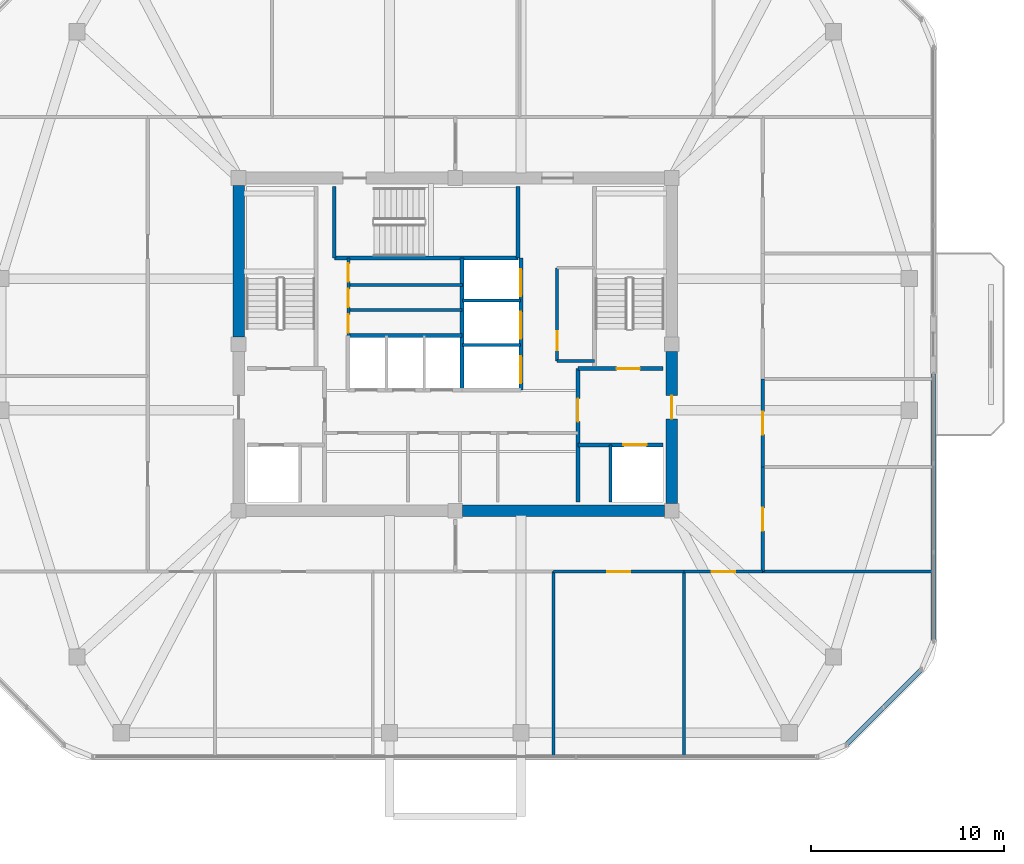
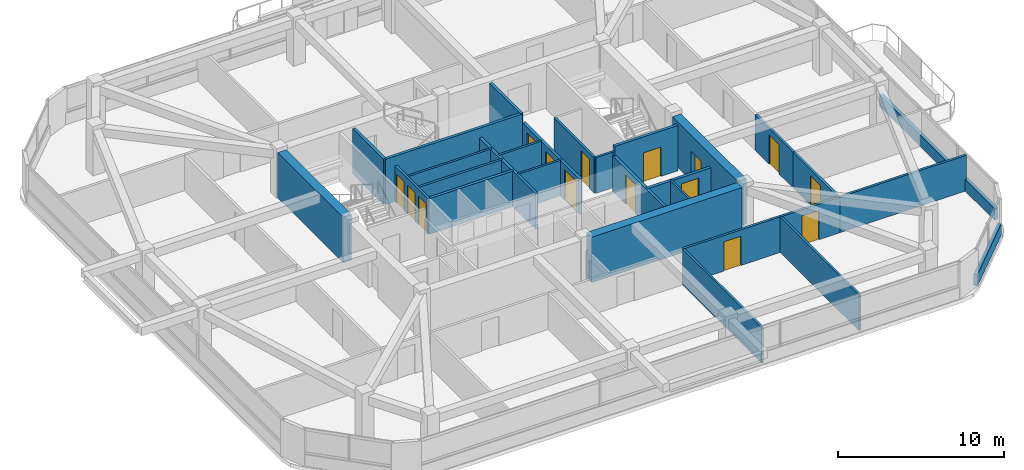
# One storey, part 10 of 14: 29 walls, 15 doors, 15 openings.
"""IFC4 building model written with IfcOpenShell, lengths in metres."""

from ifc_helpers import new_model, si_unit, derived_unit, direction, frame, frame_2d, origin, place, context, subcontext, project, spatial, rectangle, extrude, material, layer, layer_set, type_object, element, fill, save


model = new_model("IFC4")

# Units and contexts
model_context = context("Model", 3, precision=1e-05, world=origin(), true_north=direction((0.0, 1.0)))
body_context = subcontext(model_context, "Body", "Model", "MODEL_VIEW")
ifc_project = project(units=[si_unit("LENGTHUNIT", "METRE"), si_unit("AREAUNIT", "SQUARE_METRE"), si_unit("VOLUMEUNIT", "CUBIC_METRE"), si_unit("PLANEANGLEUNIT", "RADIAN"), si_unit("MASSUNIT", "GRAM", prefix="KILO"), derived_unit("THERMALTRANSMITTANCEUNIT", [(si_unit("POWERUNIT", "WATT"), 1), (si_unit("LENGTHUNIT", "METRE"), -2), (si_unit("THERMODYNAMICTEMPERATUREUNIT", "KELVIN"), -1)])], contexts=[model_context])

# Site, building, storey
site_placement = place(None, origin())
site = spatial("IfcSite", under=ifc_project, at=site_placement, CompositionType="ELEMENT")
building_placement = place(site_placement, origin())
building = spatial("IfcBuilding", under=site, at=building_placement, Name="Koralith Skygarden Medical Center", CompositionType="ELEMENT")
storey_placement = place(building_placement, frame((0.0, 0.0, 275.219970703125)))
storey = spatial("IfcBuildingStorey", under=building, at=storey_placement, Name="L71", CompositionType="ELEMENT", Elevation=275.219970703125)

# Wall, opening, door
ifc_material_1 = material(Name="Gypsum Board Partition")
ifc_layer_1 = layer(ifc_material_1, 0.14990234375)
ifc_layer_set_1 = layer_set([ifc_layer_1], Name="Gypsum Board Partition")
wall_type_1 = type_object("IfcWallType", Name="Clinical Acoustic Partition 150", PredefinedType="PARTITIONING", material=ifc_layer_set_1)
wall_1_placement = place(storey_placement, frame((42.27001953125, 25.0400390625, 0.0), z_axis=(0.0, 0.0, 1.0), x_axis=(0.0, 1.0, 0.0)))
wall_1 = element("IfcWall", 1, at=wall_1_placement, inside=storey, type_object=wall_type_1, Name="L71 Clinical Acoustic Partition 150 W-CORE-L71-ESUB-W", PredefinedType="PARTITIONING", context=body_context, shape_type="SweptSolid", body=[
    extrude(rectangle(XDim=4.820068359375, YDim=0.14990234375, at=frame_2d((2.41015625, 0.0))), origin(), (0.0, 0.0, 1.0), 2.610107421875),
])
opening_1_placement = place(wall_1_placement, frame((0.550048828125, 0.0, 0.0)))
opening_1 = element("IfcOpeningElement", 2, at=opening_1_placement, cuts=wall_1, Name="Opening D-SUP", PredefinedType="OPENING", context=body_context, shape_type="SweptSolid", body=[
    extrude(rectangle(XDim=1.0, YDim=2.14990234375, at=frame_2d((0.5, 1.074951171875))), frame((0.0, 0.0849609375, 0.0), z_axis=(0.0, -1.0, 0.0), x_axis=(1.0, 0.0, 0.0)), (0.0, 0.0, 1.0), 0.169921875),
])
ifc_material_2 = material(Name="Aluminium 6063-T6", Category="aluminium")
door_type_1 = type_object("IfcDoorType", Name="Clinical Support Door D-SUP 1000", OperationType="NOTDEFINED", PredefinedType="DOOR", material=ifc_material_2)
door_1_placement = place(opening_1_placement, origin())
door_1 = element("IfcDoor", 3, at=door_1_placement, inside=storey, type_object=door_type_1, Name="L71 Core Equipment Store Door", OperationType="SINGLE_SWING_LEFT", OverallHeight=2.14990234375, OverallWidth=1.0, PredefinedType="DOOR", context=body_context, shape_type="SweptSolid", body=[
    extrude(rectangle(XDim=1.0, YDim=2.14990234375, at=frame_2d((0.5, 1.074951171875))), frame((0.0, 0.02490234375, 0.0), z_axis=(0.0, -1.0, 0.0), x_axis=(1.0, 0.0, 0.0)), (0.0, 0.0, 1.0), 0.050048828125),
])
fill(opening_1, door_1)

# Walls
wall_2_placement = place(storey_placement, frame((42.27001953125, 25.0400390625, 0.0), z_axis=(0.0, 0.0, 1.0), x_axis=(1.0, 0.0, 0.0)))
element("IfcWall", 4, at=wall_2_placement, inside=storey, type_object=wall_type_1, Name="L71 Clinical Acoustic Partition 150 W-CORE-L71-ESUB-S", PredefinedType="PARTITIONING", context=body_context, shape_type="SweptSolid", body=[
    extrude(rectangle(XDim=1.929931640625, YDim=0.14990234375, at=frame_2d((0.96484375, 0.0))), origin(), (0.0, 0.0, 1.0), 2.610107421875),
])
wall_3_placement = place(storey_placement, frame((31.47998046875, 28.97998046875, 0.0), z_axis=(0.0, 0.0, 1.0), x_axis=(1.0, 0.0, 0.0)))
element("IfcWall", 5, at=wall_3_placement, inside=storey, type_object=wall_type_1, Name="L71 Clinical Acoustic Partition 150 W-CORE-L71-FLEX-H1B", PredefinedType="PARTITIONING", context=body_context, shape_type="SweptSolid", body=[
    extrude(rectangle(XDim=5.89013671875, YDim=0.14990234375, at=frame_2d((2.945068359375, 0.0))), origin(), (0.0, 0.0, 1.0), 2.610107421875),
])
for number, where, z_axis, x_axis, name in (
    (6, (42.076904296875, 14.14990234375, 0.0), (0.0, 0.0, 1.0), (0.0, -1.0, 0.0), "L71 Clinical Acoustic Partition 150 W-PART-L71-S-03"),
    (7, (48.840087890625, 14.14990234375, 0.0), (0.0, 0.0, 1.0), (0.0, -1.0, 0.0), "L71 Clinical Acoustic Partition 150 W-PART-L71-S-04"),
):
    element("IfcWall", number, at=place(storey_placement, frame(where, z_axis=z_axis, x_axis=x_axis)), inside=storey, type_object=wall_type_1, Name=name, PredefinedType="PARTITIONING", context=body_context, shape_type="SweptSolid", body=[
        extrude(rectangle(XDim=9.5498046875, YDim=0.14990234375, at=frame_2d((4.77490234375, 0.0))), origin(), (0.0, 0.0, 1.0), 2.610107421875),
    ])
ifc_layer_2 = layer(ifc_material_1, 0.1650390625)
ifc_layer_set_2 = layer_set([ifc_layer_2], Name="Gypsum Board Partition")
wall_type_2 = type_object("IfcWallType", Name="Clinical Corridor Partition 165", PredefinedType="PARTITIONING", material=ifc_layer_set_2)
wall_4_placement = place(storey_placement, frame((52.89990234375, 14.14990234375, 0.0), z_axis=(0.0, 0.0, 1.0), x_axis=(1.0, 0.0, 0.0)))
element("IfcWall", 8, at=wall_4_placement, inside=storey, type_object=wall_type_2, Name="L71 Clinical Corridor Partition 165 W-WB-L71-SE", PredefinedType="PARTITIONING", context=body_context, shape_type="SweptSolid", body=[
    extrude(rectangle(XDim=8.800048828125, YDim=0.1650390625, at=frame_2d((4.39990234375, 0.0))), origin(), (0.0, 0.0, 1.0), 2.610107421875),
])

# Wall, opening, door
wall_5_placement = place(storey_placement, frame((42.076904296875, 14.14990234375, 0.0), z_axis=(0.0, 0.0, 1.0), x_axis=(1.0, 0.0, 0.0)))
wall_5 = element("IfcWall", 9, at=wall_5_placement, inside=storey, type_object=wall_type_2, Name="L71 Clinical Corridor Partition 165 W-CORR-L71-S-04", PredefinedType="PARTITIONING", context=body_context, shape_type="SweptSolid", body=[
    extrude(rectangle(XDim=6.76318359375, YDim=0.1650390625, at=frame_2d((3.381591796875, 0.0))), origin(), (0.0, 0.0, 1.0), 2.610107421875),
])
opening_2_placement = place(wall_5_placement, frame((2.781982421875, 0.0, 0.0)))
opening_2 = element("IfcOpeningElement", 10, at=opening_2_placement, cuts=wall_5, Name="Opening D-CLN", PredefinedType="OPENING", context=body_context, shape_type="SweptSolid", body=[
    extrude(rectangle(XDim=1.199951171875, YDim=2.14990234375, at=frame_2d((0.60009765625, 1.074951171875))), frame((0.0, 0.092529296875, 0.0), z_axis=(0.0, -1.0, 0.0), x_axis=(1.0, 0.0, 0.0)), (0.0, 0.0, 1.0), 0.18505859375),
])
door_type_2 = type_object("IfcDoorType", Name="Clinical Corridor Door D-CLN 1200", OperationType="NOTDEFINED", PredefinedType="DOOR", material=ifc_material_2)
door_2_placement = place(opening_2_placement, frame((1.199951171875, 0.0, 0.0), z_axis=(0.0, 0.0, 1.0), x_axis=(-1.0, 0.0, 0.0)))
door_2 = element("IfcDoor", 11, at=door_2_placement, inside=storey, type_object=door_type_2, Name="L71 Physician Reading Lounge 08 Door", OperationType="SINGLE_SWING_LEFT", OverallHeight=2.14990234375, OverallWidth=1.199951171875, PredefinedType="DOOR", context=body_context, shape_type="SweptSolid", body=[
    extrude(rectangle(XDim=1.199951171875, YDim=2.14990234375, at=frame_2d((0.60009765625, 1.074951171875))), frame((0.0, 0.02490234375, 0.0), z_axis=(0.0, -1.0, 0.0), x_axis=(1.0, 0.0, 0.0)), (0.0, 0.0, 1.0), 0.050048828125),
])
fill(opening_2, door_2)

wall_6_placement = place(storey_placement, frame((48.840087890625, 14.14990234375, 0.0), z_axis=(0.0, 0.0, 1.0), x_axis=(1.0, 0.0, 0.0)))
wall_6 = element("IfcWall", 12, at=wall_6_placement, inside=storey, type_object=wall_type_2, Name="L71 Clinical Corridor Partition 165 W-CORR-L71-S-05", PredefinedType="PARTITIONING", context=body_context, shape_type="SweptSolid", body=[
    extrude(rectangle(XDim=4.059814453125, YDim=0.1650390625, at=frame_2d((2.02978515625, 0.0))), origin(), (0.0, 0.0, 1.0), 2.610107421875),
])
opening_3_placement = place(wall_6_placement, frame((1.429931640625, 0.0, 0.0)))
opening_3 = element("IfcOpeningElement", 13, at=opening_3_placement, cuts=wall_6, Name="Opening D-CLN", PredefinedType="OPENING", context=body_context, shape_type="SweptSolid", body=[
    extrude(rectangle(XDim=1.199951171875, YDim=2.14990234375, at=frame_2d((0.60009765625, 1.074951171875))), frame((0.0, 0.092529296875, 0.0), z_axis=(0.0, -1.0, 0.0), x_axis=(1.0, 0.0, 0.0)), (0.0, 0.0, 1.0), 0.18505859375),
])
door_3_placement = place(opening_3_placement, frame((1.199951171875, 0.0, 0.0), z_axis=(0.0, 0.0, 1.0), x_axis=(-1.0, 0.0, 0.0)))
door_3 = element("IfcDoor", 14, at=door_3_placement, inside=storey, type_object=door_type_2, Name="L71 Clinical Consultation Office 09 Door", OperationType="SINGLE_SWING_RIGHT", OverallHeight=2.14990234375, OverallWidth=1.199951171875, PredefinedType="DOOR", context=body_context, shape_type="SweptSolid", body=[
    extrude(rectangle(XDim=1.199951171875, YDim=2.14990234375, at=frame_2d((0.60009765625, 1.074951171875))), frame((0.0, 0.02490234375, 0.0), z_axis=(0.0, -1.0, 0.0), x_axis=(1.0, 0.0, 0.0)), (0.0, 0.0, 1.0), 0.050048828125),
])
fill(opening_3, door_3)

wall_7_placement = place(storey_placement, frame((52.89990234375, 14.14990234375, 0.0), z_axis=(0.0, 0.0, 1.0), x_axis=(0.0, 1.0, 0.0)))
wall_7 = element("IfcWall", 15, at=wall_7_placement, inside=storey, type_object=wall_type_2, Name="L71 Clinical Corridor Partition 165 W-CORR-L71-E-01", PredefinedType="PARTITIONING", context=body_context, shape_type="SweptSolid", body=[
    extrude(rectangle(XDim=5.405029296875, YDim=0.1650390625, at=frame_2d((2.70263671875, 0.0))), origin(), (0.0, 0.0, 1.0), 2.610107421875),
])
opening_4_placement = place(wall_7_placement, frame((2.10205078125, 0.0, 0.0)))
opening_4 = element("IfcOpeningElement", 16, at=opening_4_placement, cuts=wall_7, Name="Opening D-CLN", PredefinedType="OPENING", context=body_context, shape_type="SweptSolid", body=[
    extrude(rectangle(XDim=1.199951171875, YDim=2.14990234375, at=frame_2d((0.60009765625, 1.074951171875))), frame((0.0, 0.092529296875, 0.0), z_axis=(0.0, -1.0, 0.0), x_axis=(1.0, 0.0, 0.0)), (0.0, 0.0, 1.0), 0.18505859375),
])
door_4_placement = place(opening_4_placement, origin())
door_4 = element("IfcDoor", 17, at=door_4_placement, inside=storey, type_object=door_type_2, Name="L71 Physician Reading Lounge 12 Door", OperationType="SINGLE_SWING_LEFT", OverallHeight=2.14990234375, OverallWidth=1.199951171875, PredefinedType="DOOR", context=body_context, shape_type="SweptSolid", body=[
    extrude(rectangle(XDim=1.199951171875, YDim=2.14990234375, at=frame_2d((0.60009765625, 1.074951171875))), frame((0.0, 0.02490234375, 0.0), z_axis=(0.0, -1.0, 0.0), x_axis=(1.0, 0.0, 0.0)), (0.0, 0.0, 1.0), 0.050048828125),
])
fill(opening_4, door_4)

wall_8_placement = place(storey_placement, frame((52.89990234375, 19.554931640625, 0.0), z_axis=(0.0, 0.0, 1.0), x_axis=(0.0, 1.0, 0.0)))
wall_8 = element("IfcWall", 18, at=wall_8_placement, inside=storey, type_object=wall_type_2, Name="L71 Clinical Corridor Partition 165 W-CORR-L71-E-02", PredefinedType="PARTITIONING", context=body_context, shape_type="SweptSolid", body=[
    extrude(rectangle(XDim=4.545166015625, YDim=0.1650390625, at=frame_2d((2.2724609375, 0.0))), origin(), (0.0, 0.0, 1.0), 2.610107421875),
])
opening_5_placement = place(wall_8_placement, frame((1.673095703125, 0.0, 0.0)))
opening_5 = element("IfcOpeningElement", 19, at=opening_5_placement, cuts=wall_8, Name="Opening D-CLN", PredefinedType="OPENING", context=body_context, shape_type="SweptSolid", body=[
    extrude(rectangle(XDim=1.199951171875, YDim=2.14990234375, at=frame_2d((0.60009765625, 1.074951171875))), frame((0.0, 0.092529296875, 0.0), z_axis=(0.0, -1.0, 0.0), x_axis=(1.0, 0.0, 0.0)), (0.0, 0.0, 1.0), 0.18505859375),
])
door_5_placement = place(opening_5_placement, origin())
door_5 = element("IfcDoor", 20, at=door_5_placement, inside=storey, type_object=door_type_2, Name="L71 Public Accessible Restroom WC 13 Door", OperationType="SINGLE_SWING_RIGHT", OverallHeight=2.14990234375, OverallWidth=1.199951171875, PredefinedType="DOOR", context=body_context, shape_type="SweptSolid", body=[
    extrude(rectangle(XDim=1.199951171875, YDim=2.14990234375, at=frame_2d((0.60009765625, 1.074951171875))), frame((0.0, 0.02490234375, 0.0), z_axis=(0.0, -1.0, 0.0), x_axis=(1.0, 0.0, 0.0)), (0.0, 0.0, 1.0), 0.050048828125),
])
fill(opening_5, door_5)

ifc_layer_3 = layer(ifc_material_1, 0.199951171875)
ifc_layer_set_3 = layer_set([ifc_layer_3], Name="Gypsum Board Partition")
wall_type_3 = type_object("IfcWallType", Name="Fire Shaft Wall 200", PredefinedType="SOLIDWALL", material=ifc_layer_set_3)
wall_9_placement = place(storey_placement, frame((43.35009765625, 20.699951171875, 0.0), z_axis=(0.0, 0.0, 1.0), x_axis=(1.0, 0.0, 0.0)))
wall_9 = element("IfcWall", 21, at=wall_9_placement, inside=storey, type_object=wall_type_3, Name="L71 Fire Shaft Wall 200 W-CORE-L71-FF2-N", PredefinedType="SOLIDWALL", context=body_context, shape_type="SweptSolid", body=[
    extrude(rectangle(XDim=4.39990234375, YDim=0.199951171875, at=frame_2d((2.199951171875, 0.0))), origin(), (0.0, 0.0, 1.0), 2.610107421875),
])
opening_6_placement = place(wall_9_placement, frame((2.35009765625, 0.0, 0.0)))
opening_6 = element("IfcOpeningElement", 22, at=opening_6_placement, cuts=wall_9, Name="Opening LD-FF", PredefinedType="OPENING", context=body_context, shape_type="SweptSolid", body=[
    extrude(rectangle(XDim=1.199951171875, YDim=2.14990234375, at=frame_2d((0.60009765625, 1.074951171875))), frame((0.0, 0.10986328125, 0.0), z_axis=(0.0, -1.0, 0.0), x_axis=(1.0, 0.0, 0.0)), (0.0, 0.0, 1.0), 0.219970703125),
])
ifc_material_3 = material(Name="Steel ASTM A500 Grade C", Category="steel")
door_type_3 = type_object("IfcDoorType", Name="Fire Lift Sliding Landing Door LD-FF 1200", OperationType="NOTDEFINED", PredefinedType="DOOR", material=ifc_material_3)
door_6_placement = place(opening_6_placement, origin())
door_6 = element("IfcDoor", 23, at=door_6_placement, inside=storey, type_object=door_type_3, Name="L71 Fire Service Elevator FF2 Landing Door", OperationType="SLIDING_TO_RIGHT", OverallHeight=2.14990234375, OverallWidth=1.199951171875, PredefinedType="DOOR", context=body_context, shape_type="SweptSolid", body=[
    extrude(rectangle(XDim=1.199951171875, YDim=2.14990234375, at=frame_2d((0.60009765625, 1.074951171875))), frame((0.0, 0.02490234375, 0.0), z_axis=(0.0, -1.0, 0.0), x_axis=(1.0, 0.0, 0.0)), (0.0, 0.0, 1.0), 0.050048828125),
])
fill(opening_6, door_6)

wall_10_placement = place(storey_placement, frame((43.35009765625, 17.75, 0.0), z_axis=(0.0, 0.0, 1.0), x_axis=(0.0, 1.0, 0.0)))
wall_10 = element("IfcWall", 24, at=wall_10_placement, inside=storey, type_object=wall_type_3, Name="L71 Fire Shaft Wall 200 W-CORE-L71-FSAEE-W", PredefinedType="SOLIDWALL", context=body_context, shape_type="SweptSolid", body=[
    extrude(rectangle(XDim=6.89990234375, YDim=0.199951171875, at=frame_2d((3.449951171875, 0.0))), origin(), (0.0, 0.0, 1.0), 2.610107421875),
])
opening_7_placement = place(wall_10_placement, frame((4.14990234375, 0.0, 0.0)))
opening_7 = element("IfcOpeningElement", 25, at=opening_7_placement, cuts=wall_10, Name="Opening D-ST60", PredefinedType="OPENING", context=body_context, shape_type="SweptSolid", body=[
    extrude(rectangle(XDim=1.199951171875, YDim=2.14990234375, at=frame_2d((0.60009765625, 1.074951171875))), frame((0.0, 0.10986328125, 0.0), z_axis=(0.0, -1.0, 0.0), x_axis=(1.0, 0.0, 0.0)), (0.0, 0.0, 1.0), 0.219970703125),
])
door_type_4 = type_object("IfcDoorType", Name="Smokeproof Stair Fire Door FD60S 1200", OperationType="NOTDEFINED", PredefinedType="DOOR", material=ifc_material_3)
door_7_placement = place(opening_7_placement, frame((1.199951171875, 0.0, 0.0), z_axis=(0.0, 0.0, 1.0), x_axis=(-1.0, 0.0, 0.0)))
door_7 = element("IfcDoor", 26, at=door_7_placement, inside=storey, type_object=door_type_4, Name="L71 East Firefighting Lobby Inner Fire Door", OperationType="SINGLE_SWING_RIGHT", OverallHeight=2.14990234375, OverallWidth=1.199951171875, PredefinedType="DOOR", context=body_context, shape_type="SweptSolid", body=[
    extrude(rectangle(XDim=1.199951171875, YDim=2.14990234375, at=frame_2d((0.60009765625, 1.074951171875))), frame((0.0, 0.02490234375, 0.0), z_axis=(0.0, -1.0, 0.0), x_axis=(1.0, 0.0, 0.0)), (0.0, 0.0, 1.0), 0.050048828125),
])
fill(opening_7, door_7)

# Walls
wall_11_placement = place(storey_placement, frame((31.449951171875, 26.35009765625, 0.0), z_axis=(0.0, 0.0, 1.0), x_axis=(1.0, 0.0, 0.0)))
element("IfcWall", 27, at=wall_11_placement, inside=storey, type_object=wall_type_3, Name="L71 Fire Shaft Wall 200 W-CORE-L71-PH-N", PredefinedType="SOLIDWALL", context=body_context, shape_type="SweptSolid", body=[
    extrude(rectangle(XDim=5.900146484375, YDim=0.199951171875, at=frame_2d((2.9501953125, 0.0))), origin(), (0.0, 0.0, 1.0), 2.610107421875),
])
wall_12_placement = place(storey_placement, frame((37.35009765625, 23.5400390625, 0.0), z_axis=(0.0, 0.0, 1.0), x_axis=(0.0, 1.0, 0.0)))
element("IfcWall", 28, at=wall_12_placement, inside=storey, type_object=wall_type_3, Name="L71 Fire Shaft Wall 200 W-CORE-L71-SV-W", PredefinedType="SOLIDWALL", context=body_context, shape_type="SweptSolid", body=[
    extrude(rectangle(XDim=6.820068359375, YDim=0.199951171875, at=frame_2d((3.41015625, 0.0))), origin(), (0.0, 0.0, 1.0), 2.610107421875),
])

# Wall, openings, doors
wall_13_placement = place(storey_placement, frame((40.39990234375, 23.5400390625, 0.0), z_axis=(0.0, 0.0, 1.0), x_axis=(0.0, 1.0, 0.0)))
wall_13 = element("IfcWall", 29, at=wall_13_placement, inside=storey, type_object=wall_type_3, Name="L71 Fire Shaft Wall 200 W-CORE-L71-SV-E", PredefinedType="SOLIDWALL", context=body_context, shape_type="SweptSolid", body=[
    extrude(rectangle(XDim=6.820068359375, YDim=0.199951171875, at=frame_2d((3.41015625, 0.0))), origin(), (0.0, 0.0, 1.0), 2.610107421875),
])
opening_8_placement = place(wall_13_placement, frame((0.35009765625, 0.0, 0.0)))
opening_8 = element("IfcOpeningElement", 30, at=opening_8_placement, cuts=wall_13, Name="Opening LD-SV", PredefinedType="OPENING", context=body_context, shape_type="SweptSolid", body=[
    extrude(rectangle(XDim=1.39990234375, YDim=2.199951171875, at=frame_2d((0.699951171875, 1.10009765625))), frame((0.0, 0.10986328125, 0.0), z_axis=(0.0, -1.0, 0.0), x_axis=(1.0, 0.0, 0.0)), (0.0, 0.0, 1.0), 0.219970703125),
])
opening_9_placement = place(wall_13_placement, frame((2.64990234375, 0.0, 0.0)))
opening_9 = element("IfcOpeningElement", 31, at=opening_9_placement, cuts=wall_13, Name="Opening LD-SV", PredefinedType="OPENING", context=body_context, shape_type="SweptSolid", body=[
    extrude(rectangle(XDim=1.39990234375, YDim=2.199951171875, at=frame_2d((0.699951171875, 1.10009765625))), frame((0.0, 0.10986328125, 0.0), z_axis=(0.0, -1.0, 0.0), x_axis=(1.0, 0.0, 0.0)), (0.0, 0.0, 1.0), 0.219970703125),
])
opening_10_placement = place(wall_13_placement, frame((4.85009765625, 0.0, 0.0)))
opening_10 = element("IfcOpeningElement", 32, at=opening_10_placement, cuts=wall_13, Name="Opening LD-SV", PredefinedType="OPENING", context=body_context, shape_type="SweptSolid", body=[
    extrude(rectangle(XDim=1.39990234375, YDim=2.199951171875, at=frame_2d((0.699951171875, 1.10009765625))), frame((0.0, 0.10986328125, 0.0), z_axis=(0.0, -1.0, 0.0), x_axis=(1.0, 0.0, 0.0)), (0.0, 0.0, 1.0), 0.219970703125),
])
door_type_5 = type_object("IfcDoorType", Name="Bed Lift Sliding Landing Door LD-SV 1400", OperationType="NOTDEFINED", PredefinedType="DOOR", material=ifc_material_3)
door_8_placement = place(opening_8_placement, origin())
door_8 = element("IfcDoor", 33, at=door_8_placement, inside=storey, type_object=door_type_5, Name="L71 Bed Elevator BD1 Landing Door", OperationType="SLIDING_TO_LEFT", OverallHeight=2.199951171875, OverallWidth=1.39990234375, PredefinedType="DOOR", context=body_context, shape_type="SweptSolid", body=[
    extrude(rectangle(XDim=1.39990234375, YDim=2.199951171875, at=frame_2d((0.699951171875, 1.10009765625))), frame((0.0, 0.02490234375, 0.0), z_axis=(0.0, -1.0, 0.0), x_axis=(1.0, 0.0, 0.0)), (0.0, 0.0, 1.0), 0.050048828125),
])
fill(opening_8, door_8)
door_9_placement = place(opening_9_placement, origin())
door_9 = element("IfcDoor", 34, at=door_9_placement, inside=storey, type_object=door_type_5, Name="L71 Service Elevator BD2 Landing Door", OperationType="SLIDING_TO_LEFT", OverallHeight=2.199951171875, OverallWidth=1.39990234375, PredefinedType="DOOR", context=body_context, shape_type="SweptSolid", body=[
    extrude(rectangle(XDim=1.39990234375, YDim=2.199951171875, at=frame_2d((0.699951171875, 1.10009765625))), frame((0.0, 0.02490234375, 0.0), z_axis=(0.0, -1.0, 0.0), x_axis=(1.0, 0.0, 0.0)), (0.0, 0.0, 1.0), 0.050048828125),
])
fill(opening_9, door_9)
door_10_placement = place(opening_10_placement, origin())
door_10 = element("IfcDoor", 35, at=door_10_placement, inside=storey, type_object=door_type_5, Name="L71 Trauma Elevator TR1 Landing Door", OperationType="SLIDING_TO_RIGHT", OverallHeight=2.199951171875, OverallWidth=1.39990234375, PredefinedType="DOOR", context=body_context, shape_type="SweptSolid", body=[
    extrude(rectangle(XDim=1.39990234375, YDim=2.199951171875, at=frame_2d((0.699951171875, 1.10009765625))), frame((0.0, 0.02490234375, 0.0), z_axis=(0.0, -1.0, 0.0), x_axis=(1.0, 0.0, 0.0)), (0.0, 0.0, 1.0), 0.050048828125),
])
fill(opening_10, door_10)

# Walls
ifc_material_4 = material(Name="Warm Oolitic Limestone Cladding", Category="masonry")
ifc_layer_4 = layer(ifc_material_4, 0.239990234375)
ifc_layer_set_4 = layer_set([ifc_layer_4], Name="Warm Oolitic Limestone Cladding")
wall_type_4 = type_object("IfcWallType", Name="Limestone Spandrel Sill Backup Wall 240", PredefinedType="SOLIDWALL", material=ifc_layer_set_4)
wall_14_placement = place(storey_placement, frame((57.196044921875, 5.180908203125, 0.0), z_axis=(0.0, 0.0, 1.0), x_axis=(0.707084777957, 0.707128783731, 0.0)))
element("IfcWall", 36, at=wall_14_placement, inside=storey, type_object=wall_type_4, Name="L71 Sill Spandrel SE", PredefinedType="SOLIDWALL", context=body_context, shape_type="SweptSolid", body=[
    extrude(rectangle(XDim=5.5478515625, YDim=0.239990234375, at=frame_2d((2.77392578125, 0.0))), origin(), (0.0, 0.0, 1.0), 0.85009765625),
])
wall_15_placement = place(storey_placement, frame((61.719970703125, 10.554931640625, 0.0), z_axis=(0.0, 0.0, 1.0), x_axis=(0.0, 1.0, 0.0)))
element("IfcWall", 37, at=wall_15_placement, inside=storey, type_object=wall_type_4, Name="L71 Sill Spandrel E-L", PredefinedType="SOLIDWALL", context=body_context, shape_type="SweptSolid", body=[
    extrude(rectangle(XDim=13.80517578125, YDim=0.239990234375, at=frame_2d((6.902587890625, 0.0))), origin(), (0.0, 0.0, 1.0), 0.85009765625),
])

# Wall, openings, doors
ifc_layer_5 = layer(ifc_material_1, 0.1650390625)
ifc_layer_set_5 = layer_set([ifc_layer_5], Name="Gypsum Board Partition")
wall_type_5 = type_object("IfcWallType", Name="Plumbing Wet Wall 165", PredefinedType="PLUMBINGWALL", material=ifc_layer_set_5)
wall_16_placement = place(storey_placement, frame((31.47998046875, 26.320068359375, 0.0), z_axis=(0.0, 0.0, 1.0), x_axis=(0.0, 1.0, 0.0)))
wall_16 = element("IfcWall", 38, at=wall_16_placement, inside=storey, type_object=wall_type_5, Name="L71 Plumbing Wet Wall 165 W-CORE-L71-FLEX-W", PredefinedType="PLUMBINGWALL", context=body_context, shape_type="SweptSolid", body=[
    extrude(rectangle(XDim=4.0400390625, YDim=0.1650390625, at=frame_2d((2.02001953125, 0.0))), origin(), (0.0, 0.0, 1.0), 2.610107421875),
])
opening_11_placement = place(wall_16_placement, frame((0.179931640625, 0.0, 0.0)))
opening_11 = element("IfcOpeningElement", 39, at=opening_11_placement, cuts=wall_16, Name="Opening D-WC", PredefinedType="OPENING", context=body_context, shape_type="SweptSolid", body=[
    extrude(rectangle(XDim=0.949951171875, YDim=2.10009765625, at=frame_2d((0.47509765625, 1.050048828125))), frame((0.0, 0.092529296875, 0.0), z_axis=(0.0, -1.0, 0.0), x_axis=(1.0, 0.0, 0.0)), (0.0, 0.0, 1.0), 0.18505859375),
])
opening_12_placement = place(wall_16_placement, frame((1.5, 0.0, 0.0)))
opening_12 = element("IfcOpeningElement", 40, at=opening_12_placement, cuts=wall_16, Name="Opening D-WC", PredefinedType="OPENING", context=body_context, shape_type="SweptSolid", body=[
    extrude(rectangle(XDim=0.949951171875, YDim=2.10009765625, at=frame_2d((0.47509765625, 1.050048828125))), frame((0.0, 0.092529296875, 0.0), z_axis=(0.0, -1.0, 0.0), x_axis=(1.0, 0.0, 0.0)), (0.0, 0.0, 1.0), 0.18505859375),
])
opening_13_placement = place(wall_16_placement, frame((2.820068359375, 0.0, 0.0)))
opening_13 = element("IfcOpeningElement", 41, at=opening_13_placement, cuts=wall_16, Name="Opening D-WC", PredefinedType="OPENING", context=body_context, shape_type="SweptSolid", body=[
    extrude(rectangle(XDim=0.949951171875, YDim=2.10009765625, at=frame_2d((0.47509765625, 1.050048828125))), frame((0.0, 0.092529296875, 0.0), z_axis=(0.0, -1.0, 0.0), x_axis=(1.0, 0.0, 0.0)), (0.0, 0.0, 1.0), 0.18505859375),
])
door_type_6 = type_object("IfcDoorType", Name="Accessible Toilet Door D-WC 950", OperationType="NOTDEFINED", PredefinedType="DOOR", material=ifc_material_2)
door_11_placement = place(opening_11_placement, frame((0.949951171875, 0.0, 0.0), z_axis=(0.0, 0.0, 1.0), x_axis=(-1.0, 0.0, 0.0)))
door_11 = element("IfcDoor", 42, at=door_11_placement, inside=storey, type_object=door_type_6, Name="L71 Core Accessible WC Door", OperationType="SINGLE_SWING_LEFT", OverallHeight=2.10009765625, OverallWidth=0.949951171875, PredefinedType="DOOR", context=body_context, shape_type="SweptSolid", body=[
    extrude(rectangle(XDim=0.949951171875, YDim=2.10009765625, at=frame_2d((0.47509765625, 1.050048828125))), frame((0.0, 0.02490234375, 0.0), z_axis=(0.0, -1.0, 0.0), x_axis=(1.0, 0.0, 0.0)), (0.0, 0.0, 1.0), 0.050048828125),
])
fill(opening_11, door_11)
door_12_placement = place(opening_12_placement, frame((0.949951171875, 0.0, 0.0), z_axis=(0.0, 0.0, 1.0), x_axis=(-1.0, 0.0, 0.0)))
door_12 = element("IfcDoor", 43, at=door_12_placement, inside=storey, type_object=door_type_6, Name="L71 Staff Pantry Door", OperationType="SINGLE_SWING_LEFT", OverallHeight=2.10009765625, OverallWidth=0.949951171875, PredefinedType="DOOR", context=body_context, shape_type="SweptSolid", body=[
    extrude(rectangle(XDim=0.949951171875, YDim=2.10009765625, at=frame_2d((0.47509765625, 1.050048828125))), frame((0.0, 0.02490234375, 0.0), z_axis=(0.0, -1.0, 0.0), x_axis=(1.0, 0.0, 0.0)), (0.0, 0.0, 1.0), 0.050048828125),
])
fill(opening_12, door_12)
door_13_placement = place(opening_13_placement, frame((0.949951171875, 0.0, 0.0), z_axis=(0.0, 0.0, 1.0), x_axis=(-1.0, 0.0, 0.0)))
door_13 = element("IfcDoor", 44, at=door_13_placement, inside=storey, type_object=door_type_6, Name="L71 IT Comms Door", OperationType="SINGLE_SWING_RIGHT", OverallHeight=2.10009765625, OverallWidth=0.949951171875, PredefinedType="DOOR", context=body_context, shape_type="SweptSolid", body=[
    extrude(rectangle(XDim=0.949951171875, YDim=2.10009765625, at=frame_2d((0.47509765625, 1.050048828125))), frame((0.0, 0.02490234375, 0.0), z_axis=(0.0, -1.0, 0.0), x_axis=(1.0, 0.0, 0.0)), (0.0, 0.0, 1.0), 0.050048828125),
])
fill(opening_13, door_13)

# Walls
wall_17_placement = place(storey_placement, frame((31.47998046875, 27.679931640625, 0.0), z_axis=(0.0, 0.0, 1.0), x_axis=(1.0, 0.0, 0.0)))
element("IfcWall", 45, at=wall_17_placement, inside=storey, type_object=wall_type_5, Name="L71 Plumbing Wet Wall 165 W-CORE-L71-FLEX-H1A", PredefinedType="PLUMBINGWALL", context=body_context, shape_type="SweptSolid", body=[
    extrude(rectangle(XDim=5.8701171875, YDim=0.1650390625, at=frame_2d((2.93505859375, 0.0))), origin(), (0.0, 0.0, 1.0), 2.610107421875),
])
ifc_layer_6 = layer(ifc_material_1, 0.14990234375)
ifc_layer_set_6 = layer_set([ifc_layer_6], Name="Gypsum Board Partition")
wall_type_6 = type_object("IfcWallType", Name="Shaft Partition Wall 150", PredefinedType="PARTITIONING", material=ifc_layer_set_6)
wall_18_placement = place(storey_placement, frame((45.02001953125, 17.75, 0.0), z_axis=(0.0, 0.0, 1.0), x_axis=(0.0, 1.0, 0.0)))
element("IfcWall", 46, at=wall_18_placement, inside=storey, type_object=wall_type_6, Name="L71 Shaft Partition Wall 150 W-CORE-L71-RSRE-DIV", PredefinedType="PARTITIONING", context=body_context, shape_type="SweptSolid", body=[
    extrude(rectangle(XDim=2.949951171875, YDim=0.14990234375, at=frame_2d((1.47509765625, 0.0))), origin(), (0.0, 0.0, 1.0), 2.610107421875),
])
for number, where, z_axis, x_axis, name in (
    (47, (37.3701171875, 25.8701171875, 0.0), (0.0, 0.0, 1.0), (1.0, 0.0, 0.0), "L71 Shaft Partition Wall 150 W-CORE-L71-SV-D1"),
    (48, (37.3701171875, 28.169921875, 0.0), (0.0, 0.0, 1.0), (1.0, 0.0, 0.0), "L71 Shaft Partition Wall 150 W-CORE-L71-SV-D2"),
):
    element("IfcWall", number, at=place(storey_placement, frame(where, z_axis=z_axis, x_axis=x_axis)), inside=storey, type_object=wall_type_6, Name=name, PredefinedType="PARTITIONING", context=body_context, shape_type="SweptSolid", body=[
        extrude(rectangle(XDim=3.009765625, YDim=0.14990234375, at=frame_2d((1.5048828125, 0.0))), origin(), (0.0, 0.0, 1.0), 2.610107421875),
    ])

# Wall, opening, door
ifc_material_5 = material(Name="Concrete C45/55", Category="concrete")
ifc_layer_7 = layer(ifc_material_5, 0.199951171875)
ifc_layer_set_7 = layer_set([ifc_layer_7], Name="Concrete C45/55")
wall_type_7 = type_object("IfcWallType", Name="Structural Stair Shaft Wall 200", PredefinedType="SHEAR", material=ifc_layer_set_7)
wall_19_placement = place(storey_placement, frame((43.35009765625, 24.64990234375, 0.0), z_axis=(0.0, 0.0, 1.0), x_axis=(1.0, 0.0, 0.0)))
wall_19 = element("IfcWall", 49, at=wall_19_placement, inside=storey, type_object=wall_type_7, Name="L71 Structural Stair Shaft Wall 200 W-CORE-L71-ST2-S", PredefinedType="SHEAR", context=body_context, shape_type="SweptSolid", body=[
    extrude(rectangle(XDim=4.39990234375, YDim=0.199951171875, at=frame_2d((2.199951171875, 0.0))), origin(), (0.0, 0.0, 1.0), 3.320068359375),
])
opening_14_placement = place(wall_19_placement, frame((2.0, 0.0, 0.0)))
opening_14 = element("IfcOpeningElement", 50, at=opening_14_placement, cuts=wall_19, Name="Opening D-ST60", PredefinedType="OPENING", context=body_context, shape_type="SweptSolid", body=[
    extrude(rectangle(XDim=1.199951171875, YDim=2.14990234375, at=frame_2d((0.60009765625, 1.074951171875))), frame((0.0, 0.10986328125, 0.0), z_axis=(0.0, -1.0, 0.0), x_axis=(1.0, 0.0, 0.0)), (0.0, 0.0, 1.0), 0.219970703125),
])
door_14_placement = place(opening_14_placement, origin())
door_14 = element("IfcDoor", 51, at=door_14_placement, inside=storey, type_object=door_type_4, Name="L71 Exit Stair ST2 Fire Door", OperationType="SINGLE_SWING_RIGHT", OverallHeight=2.14990234375, OverallWidth=1.199951171875, PredefinedType="DOOR", context=body_context, shape_type="SweptSolid", body=[
    extrude(rectangle(XDim=1.199951171875, YDim=2.14990234375, at=frame_2d((0.60009765625, 1.074951171875))), frame((0.0, 0.02490234375, 0.0), z_axis=(0.0, -1.0, 0.0), x_axis=(1.0, 0.0, 0.0)), (0.0, 0.0, 1.0), 0.050048828125),
])
fill(opening_14, door_14)

# Walls
wall_20_placement = place(storey_placement, frame((30.75, 30.360107421875, 0.0), z_axis=(0.0, 0.0, 1.0), x_axis=(1.0, 0.0, 0.0)))
element("IfcWall", 52, at=wall_20_placement, inside=storey, type_object=wall_type_7, Name="L71 Structural Stair Shaft Wall 200 W-CORE-L71-ST3-S", PredefinedType="SHEAR", context=body_context, shape_type="SweptSolid", body=[
    extrude(rectangle(XDim=9.5, YDim=0.199951171875, at=frame_2d((4.75, 0.0))), origin(), (0.0, 0.0, 1.0), 3.320068359375),
])
for number, where, z_axis, x_axis, name in (
    (53, (30.75, 30.360107421875, 0.0), (0.0, 0.0, 1.0), (0.0, 1.0, 0.0), "L71 Structural Stair Shaft Wall 200 W-CORE-L71-ST3-W"),
    (54, (40.25, 30.360107421875, 0.0), (0.0, 0.0, 1.0), (0.0, 1.0, 0.0), "L71 Structural Stair Shaft Wall 200 W-CORE-L71-ST3-E"),
):
    element("IfcWall", number, at=place(storey_placement, frame(where, z_axis=z_axis, x_axis=x_axis)), inside=storey, type_object=wall_type_7, Name=name, PredefinedType="SHEAR", context=body_context, shape_type="SweptSolid", body=[
        extrude(rectangle(XDim=3.68994140625, YDim=0.199951171875, at=frame_2d((1.844970703125, 0.0))), origin(), (0.0, 0.0, 1.0), 3.320068359375),
    ])
ifc_material_6 = material(Name="Concrete C55/67", Category="concrete")
ifc_layer_8 = layer(ifc_material_6, 0.60009765625)
ifc_layer_set_8 = layer_set([ifc_layer_8], Name="Concrete C55/67")
wall_type_8 = type_object("IfcWallType", Name="Upper Core Shear Wall 600", PredefinedType="SHEAR", material=ifc_layer_set_8)
wall_21_placement = place(storey_placement, frame((37.375, 17.300048828125, 0.0), z_axis=(0.0, 0.0, 1.0), x_axis=(1.0, 0.0, 0.0)))
element("IfcWall", 55, at=wall_21_placement, inside=storey, type_object=wall_type_8, Name="L71 Core Shear Wall Segment 2", PredefinedType="SHEAR", context=body_context, shape_type="SweptSolid", body=[
    extrude(rectangle(XDim=10.449951171875, YDim=0.60009765625, at=frame_2d((5.22509765625, 0.0))), origin(), (0.0, 0.0, 1.0), 3.320068359375),
])

# Wall, opening, door
wall_22_placement = place(storey_placement, frame((48.199951171875, 17.675048828125, 0.0), z_axis=(0.0, 0.0, 1.0), x_axis=(0.0, 1.0, 0.0)))
wall_22 = element("IfcWall", 56, at=wall_22_placement, inside=storey, type_object=wall_type_8, Name="L71 Core Shear Wall Segment 3", PredefinedType="SHEAR", context=body_context, shape_type="SweptSolid", body=[
    extrude(rectangle(XDim=7.849853515625, YDim=0.60009765625, at=frame_2d((3.9248046875, 0.0))), origin(), (0.0, 0.0, 1.0), 3.320068359375),
])
opening_15_placement = place(wall_22_placement, frame((4.375, 0.0, 0.0)))
opening_15 = element("IfcOpeningElement", 57, at=opening_15_placement, cuts=wall_22, Name="Opening D-ST60", PredefinedType="OPENING", context=body_context, shape_type="SweptSolid", body=[
    extrude(rectangle(XDim=1.199951171875, YDim=2.14990234375, at=frame_2d((0.60009765625, 1.074951171875))), frame((0.0, 0.31005859375, 0.0), z_axis=(0.0, -1.0, 0.0), x_axis=(1.0, 0.0, 0.0)), (0.0, 0.0, 1.0), 0.6201171875),
])
door_15_placement = place(opening_15_placement, frame((1.199951171875, 0.0, 0.0), z_axis=(0.0, 0.0, 1.0), x_axis=(-1.0, 0.0, 0.0)))
door_15 = element("IfcDoor", 58, at=door_15_placement, inside=storey, type_object=door_type_4, Name="L71 East Corridor to Firefighting Lobby Door", OperationType="SINGLE_SWING_RIGHT", OverallHeight=2.14990234375, OverallWidth=1.199951171875, PredefinedType="DOOR", context=body_context, shape_type="SweptSolid", body=[
    extrude(rectangle(XDim=1.199951171875, YDim=2.14990234375, at=frame_2d((0.60009765625, 1.074951171875))), frame((0.0, 0.02490234375, 0.0), z_axis=(0.0, -1.0, 0.0), x_axis=(1.0, 0.0, 0.0)), (0.0, 0.0, 1.0), 0.050048828125),
])
fill(opening_15, door_15)

# Wall
wall_23_placement = place(storey_placement, frame((25.800048828125, 34.125, 0.0), z_axis=(0.0, 0.0, 1.0), x_axis=(0.0, -1.0, 0.0)))
element("IfcWall", 59, at=wall_23_placement, inside=storey, type_object=wall_type_8, Name="L71 Core Shear Wall Segment 7", PredefinedType="SHEAR", context=body_context, shape_type="SweptSolid", body=[
    extrude(rectangle(XDim=7.85009765625, YDim=0.60009765625, at=frame_2d((3.925048828125, 0.0))), origin(), (0.0, 0.0, 1.0), 3.320068359375),
])

save(model, "model.ifc")
